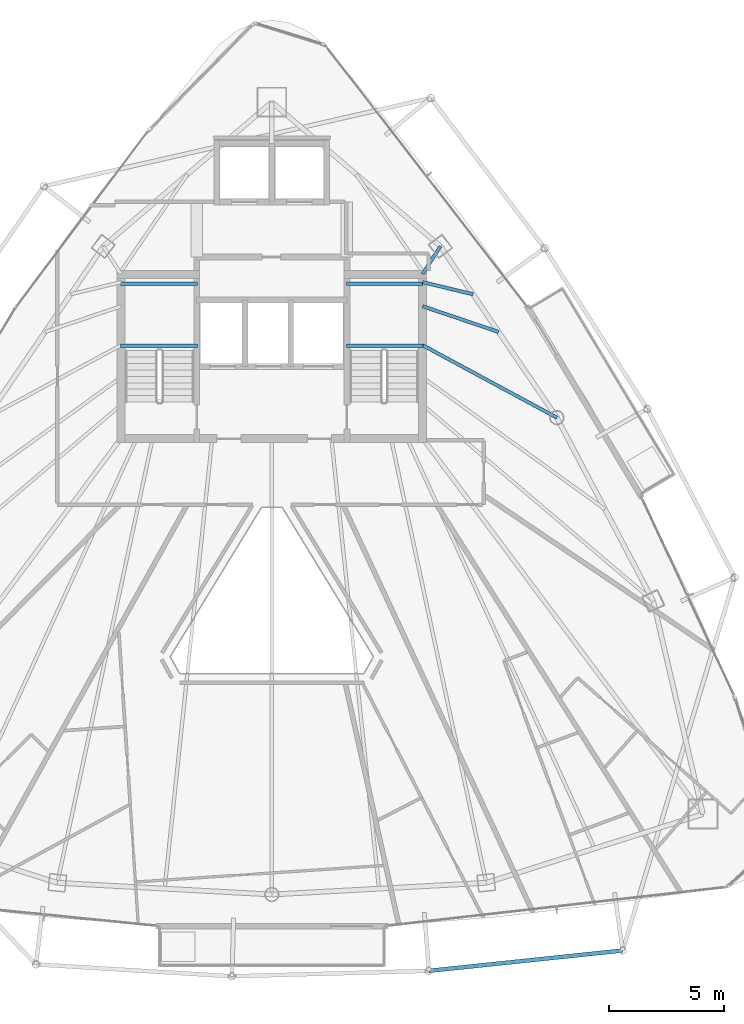
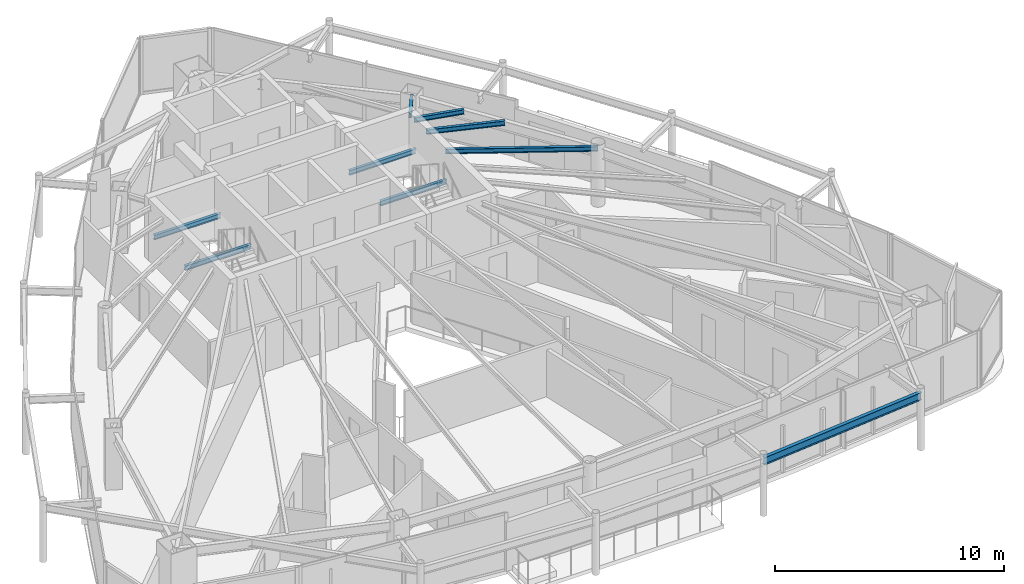
# One storey, part 13 of 29: 9 beams.
"""IFC4 building model written with IfcOpenShell, lengths in metres."""

from ifc_helpers import new_model, si_unit, direction, frame, origin, origin_2d, place, context, subcontext, project, spatial, i_section, extrude, material, material_profile, profile_set, type_object, element, save


model = new_model("IFC4")

# Units and contexts
model_context = context("Model", 3, precision=1e-05, world=origin(), true_north=direction((0.0, 1.0)))
body_context = subcontext(model_context, "Body", "Model", "MODEL_VIEW")
ifc_project = project(units=[si_unit("LENGTHUNIT", "METRE"), si_unit("AREAUNIT", "SQUARE_METRE"), si_unit("VOLUMEUNIT", "CUBIC_METRE"), si_unit("PLANEANGLEUNIT", "RADIAN"), si_unit("MASSUNIT", "GRAM", prefix="KILO")], contexts=[model_context])

# Site, building, storey
site_placement = place(None, origin())
site = spatial("IfcSite", under=ifc_project, at=site_placement, CompositionType="ELEMENT")
building_placement = place(site_placement, origin())
building = spatial("IfcBuilding", under=site, at=building_placement, Name="Orvanel Arch Residences", CompositionType="ELEMENT")
storey_placement = place(building_placement, frame((0.0, 0.0, 250.25)))
storey = spatial("IfcBuildingStorey", under=building, at=storey_placement, Name="L71", CompositionType="ELEMENT", Elevation=250.25)

# Beams
ifc_material = material(Name="Structural steel AS/NZS 3679.1 Grade 300 (300 MPa)", Category="steel")
ifc_material_profile_1 = material_profile(ifc_material, i_section(OverallWidth=0.14599609375, OverallDepth=0.251953125, WebThickness=0.006103515625, FlangeThickness=0.008544921875, at=origin_2d()), Name="250UB31.4")
ifc_profile_set_1 = profile_set([ifc_material_profile_1], Name="Structural steel AS/NZS 3679.1 Grade 300 (300 MPa)")
beam_type_1 = type_object("IfcBeamType", Name="BJ-250UB", PredefinedType="JOIST", material=ifc_profile_set_1)
for number, where, z_axis, x_axis, name in (
    (1, (26.39990234375, 30.780029296875, 1.323974609375), (1.0, 0.0, 0.0), (0.0, 1.0, 0.0), "L71 ST-1 Half-Landing Support Beam 1.1"),
    (2, (26.39990234375, 33.47998046875, 1.323974609375), (1.0, 0.0, 0.0), (0.0, 1.0, 0.0), "L71 ST-1 Half-Landing Support Beam 1.2"),
    (3, (36.25, 30.780029296875, 1.323974609375), (1.0, 0.0, 0.0), (0.0, 1.0, 0.0), "L71 ST-2 Half-Landing Support Beam 1.1"),
    (4, (36.25, 33.47998046875, 1.323974609375), (1.0, 0.0, 0.0), (0.0, 1.0, 0.0), "L71 ST-2 Half-Landing Support Beam 1.2"),
):
    element("IfcBeam", number, at=place(storey_placement, frame(where, z_axis=z_axis, x_axis=x_axis)), inside=storey, type_object=beam_type_1, Name=name, PredefinedType="JOIST", context=body_context, shape_type="SweptSolid", body=[
        extrude(i_section(OverallWidth=0.14599609375, OverallDepth=0.251953125, WebThickness=0.006103515625, FlangeThickness=0.008544921875, at=origin_2d()), origin(), (0.0, 0.0, 1.0), 3.35009765625),
    ])
beam_1_placement = place(storey_placement, frame((39.574951171875, 33.89990234375, 2.93408203125), z_axis=(0.539395075146, 0.842052820735, 0.0), x_axis=(-0.842052820735, 0.539395075146, 0.0)))
element("IfcBeam", 5, at=beam_1_placement, inside=storey, type_object=beam_type_1, Name="L71 NNE Wing Floor Joist", PredefinedType="JOIST", context=body_context, shape_type="SweptSolid", body=[
    extrude(i_section(OverallWidth=0.14599609375, OverallDepth=0.251953125, WebThickness=0.006103515625, FlangeThickness=0.008544921875, at=origin_2d()), origin(), (0.0, 0.0, 1.0), 1.440673828125),
])
beam_2_placement = place(storey_placement, frame((39.574951171875, 30.800048828125, 2.93408203125), z_axis=(0.880111494021, -0.474767056664, 0.0), x_axis=(0.474767056664, 0.880111494021, 0.0)))
element("IfcBeam", 6, at=beam_2_placement, inside=storey, type_object=beam_type_1, Name="L71 NE Wing Floor Joist", PredefinedType="JOIST", context=body_context, shape_type="SweptSolid", body=[
    extrude(i_section(OverallWidth=0.14599609375, OverallDepth=0.251953125, WebThickness=0.006103515625, FlangeThickness=0.008544921875, at=origin_2d()), origin(), (0.0, 0.0, 1.0), 6.653564453125),
])
beam_3_placement = place(storey_placement, frame((39.574951171875, 32.5, 2.93408203125), z_axis=(0.947159269453, -0.320763648641, 0.0), x_axis=(0.320763648641, 0.947159269453, 0.0)))
element("IfcBeam", 7, at=beam_3_placement, inside=storey, type_object=beam_type_1, Name="L71 ENE Wing Floor Joist", PredefinedType="JOIST", context=body_context, shape_type="SweptSolid", body=[
    extrude(i_section(OverallWidth=0.14599609375, OverallDepth=0.251953125, WebThickness=0.006103515625, FlangeThickness=0.008544921875, at=origin_2d()), origin(), (0.0, 0.0, 1.0), 3.501220703125),
])
beam_4_placement = place(storey_placement, frame((39.574951171875, 33.550048828125, 2.93408203125), z_axis=(0.972256833016, -0.23391590509, 0.0), x_axis=(0.23391590509, 0.972256833016, 0.0)))
element("IfcBeam", 8, at=beam_4_placement, inside=storey, type_object=beam_type_1, Name="L71 JADD4 Wing Floor Joist", PredefinedType="JOIST", context=body_context, shape_type="SweptSolid", body=[
    extrude(i_section(OverallWidth=0.14599609375, OverallDepth=0.251953125, WebThickness=0.006103515625, FlangeThickness=0.008544921875, at=origin_2d()), origin(), (0.0, 0.0, 1.0), 2.26171875),
])
ifc_material_profile_2 = material_profile(ifc_material, i_section(OverallWidth=0.177978515625, OverallDepth=0.406005859375, WebThickness=0.0078125, FlangeThickness=0.0126953125, at=origin_2d()), Name="410UB59.7")
ifc_profile_set_2 = profile_set([ifc_material_profile_2], Name="Structural steel AS/NZS 3679.1 Grade 300 (300 MPa)")
beam_type_2 = type_object("IfcBeamType", Name="OB-410UB-EXT", PredefinedType="SPANDREL", material=ifc_profile_set_2)
beam_5_placement = place(storey_placement, frame((39.85205078125, 3.514892578125, 2.85693359375), z_axis=(0.994534382307, 0.104409589638, 0.0), x_axis=(-0.104409589638, 0.994534382307, 0.0)))
element("IfcBeam", 9, at=beam_5_placement, inside=storey, type_object=beam_type_2, Name="L71 Outer Perimeter Floor Ring Beam 07", PredefinedType="SPANDREL", context=body_context, shape_type="SweptSolid", body=[
    extrude(i_section(OverallWidth=0.177978515625, OverallDepth=0.406005859375, WebThickness=0.0078125, FlangeThickness=0.0126953125, at=origin_2d()), origin(), (0.0, 0.0, 1.0), 8.497314453125),
])

save(model, "model.ifc")
